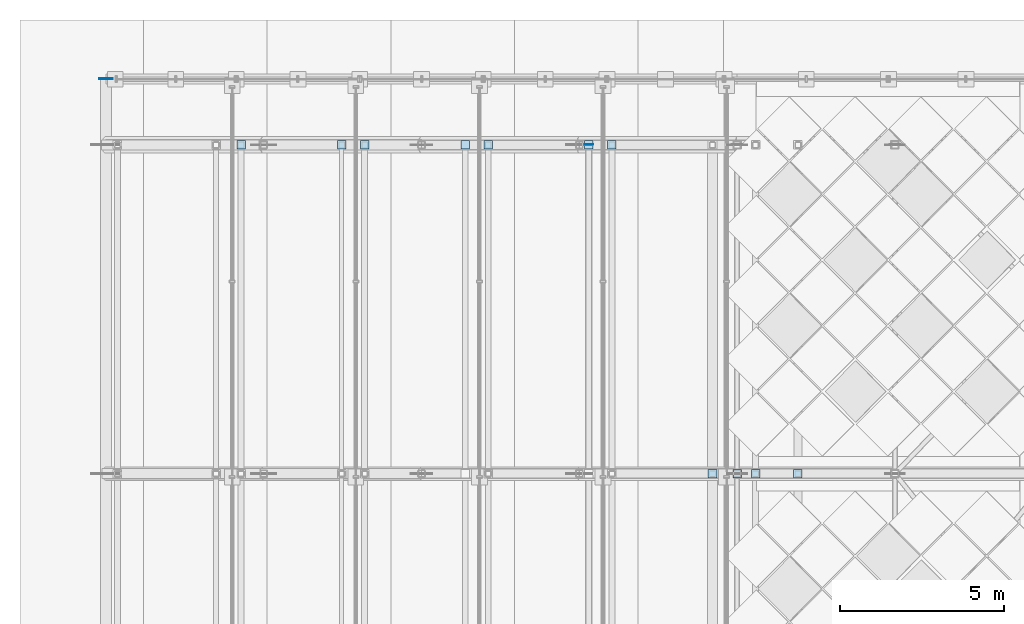
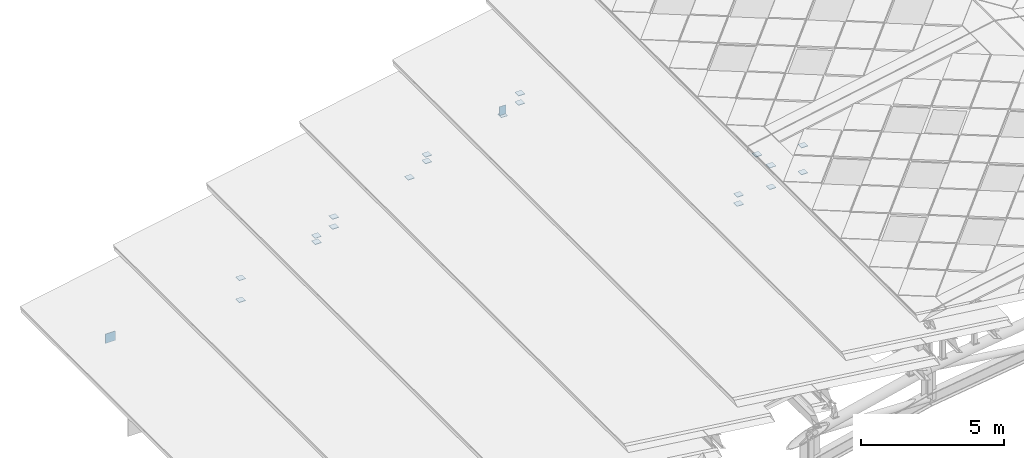
# One storey, part 106 of 117: 21 plates.
"""IFC4 building model written with IfcOpenShell, lengths in metres."""

from ifc_helpers import new_model, si_unit, direction, frame, origin, origin_2d, place, context, subcontext, project, spatial, rectangle, extrude, material, layer, layer_set, type_object, element, save


model = new_model("IFC4")

# Units and contexts
model_context = context("Model", 3, precision=1e-05, world=origin(), true_north=direction((0.0, 1.0)))
body_context = subcontext(model_context, "Body", "Model", "MODEL_VIEW")
ifc_project = project(units=[si_unit("LENGTHUNIT", "METRE"), si_unit("AREAUNIT", "SQUARE_METRE"), si_unit("VOLUMEUNIT", "CUBIC_METRE"), si_unit("PLANEANGLEUNIT", "RADIAN"), si_unit("MASSUNIT", "GRAM", prefix="KILO")], contexts=[model_context])

# Site, building, storey
site_placement = place(None, origin())
site = spatial("IfcSite", under=ifc_project, at=site_placement, CompositionType="ELEMENT")
building_placement = place(site_placement, origin())
building = spatial("IfcBuilding", under=site, at=building_placement, Name="Merenkruunu Market Hall", CompositionType="ELEMENT")
storey_placement = place(building_placement, frame((0.0, 0.0, 22.800048828125)))
storey = spatial("IfcBuildingStorey", under=building, at=storey_placement, Name="RF", CompositionType="ELEMENT", Elevation=22.800048828125)

# Plates
ifc_material = material(Name="Steel S355ML", Category="steel")
ifc_layer_1 = layer(ifc_material, 0.02001953125)
ifc_layer_set_1 = layer_set([ifc_layer_1], Name="Steel S355ML")
plate_type_1 = type_object("IfcPlateType", Name="Truss Gusset Or Cap Plate CP04", PredefinedType="USERDEFINED", material=ifc_layer_set_1)
for number, where, z_axis, x_axis, name in (
    (1, (19.199951171875, 99.60009765625, -0.50048828125), (0.0, 0.0, 1.0), (1.0, 0.0, 0.0), "PLT-AT-8-PCAP-04"),
    (2, (18.449951171875, 99.60009765625, -2.344970703125), (0.0, 0.0, 1.0), (1.0, 0.0, 0.0), "PLT-AT-8-RBASE-W5-2"),
    (3, (18.449951171875, 99.60009765625, -1.954345703125), (0.0, 0.0, 1.0), (1.0, 0.0, 0.0), "PLT-AT-8-RCAP-W5-2"),
    (4, (19.760009765625, 99.60009765625, -2.0888671875), (0.0, 0.0, 1.0), (1.0, 0.0, 0.0), "PLT-AT-8-RBASE-W6-1"),
    (5, (19.760009765625, 99.60009765625, -1.1669921875), (0.0, 0.0, 1.0), (1.0, 0.0, 0.0), "PLT-AT-8-RCAP-W6-1"),
    (6, (21.050048828125, 99.60009765625, -1.907958984375), (0.0, 0.0, 1.0), (1.0, 0.0, 0.0), "PLT-AT-8-RBASE-W6-2"),
    (7, (21.050048828125, 99.60009765625, -0.763427734375), (0.0, 0.0, 1.0), (1.0, 0.0, 0.0), "PLT-AT-8-RCAP-W6-2"),
    (8, (4.110107421875, 109.60009765625, -7.4990234375), (0.0, 0.0, 1.0), (1.0, 0.0, 0.0), "PLT-AT-G-RBASE-W2-1"),
    (9, (4.110107421875, 109.60009765625, -6.56005859375), (0.0, 0.0, 1.0), (1.0, 0.0, 0.0), "PLT-AT-G-RCAP-W2-1"),
    (10, (7.169921875, 109.60009765625, -6.09326171875), (0.0, 0.0, 1.0), (1.0, 0.0, 0.0), "PLT-AT-G-RBASE-W2-2"),
    (11, (7.169921875, 109.60009765625, -5.827392578125), (0.0, 0.0, 1.0), (1.0, 0.0, 0.0), "PLT-AT-G-RCAP-W2-2"),
    (12, (7.8701171875, 109.60009765625, -5.68798828125), (0.0, 0.0, 1.0), (1.0, 0.0, 0.0), "PLT-AT-G-RBASE-W3-1"),
    (13, (7.8701171875, 109.60009765625, -5.26025390625), (0.0, 0.0, 1.0), (1.0, 0.0, 0.0), "PLT-AT-G-RCAP-W3-1"),
    (14, (10.929931640625, 109.60009765625, -4.65234375), (0.0, 0.0, 1.0), (1.0, 0.0, 0.0), "PLT-AT-G-RCAP-W3-2"),
    (15, (11.6298828125, 109.60009765625, -4.203125), (0.0, 0.0, 1.0), (1.0, 0.0, 0.0), "PLT-AT-G-RBASE-W4-1"),
    (16, (11.6298828125, 109.60009765625, -3.920166015625), (0.0, 0.0, 1.0), (1.0, 0.0, 0.0), "PLT-AT-G-RCAP-W4-1"),
    (17, (14.68994140625, 109.60009765625, -3.3046875), (0.0, 0.0, 1.0), (1.0, 0.0, 0.0), "PLT-AT-G-RCAP-W4-2"),
    (18, (15.389892578125, 109.60009765625, -3.02099609375), (0.0, 0.0, 1.0), (1.0, 0.0, 0.0), "PLT-AT-G-RBASE-W5-1"),
    (19, (15.389892578125, 109.60009765625, -2.620361328125), (0.0, 0.0, 1.0), (1.0, 0.0, 0.0), "PLT-AT-G-RCAP-W5-1"),
):
    element("IfcPlate", number, at=place(storey_placement, frame(where, z_axis=z_axis, x_axis=x_axis)), inside=storey, type_object=plate_type_1, Name=name, ObjectType="GUSSET_PLATE", PredefinedType="USERDEFINED", context=body_context, shape_type="SweptSolid", body=[
        extrude(rectangle(XDim=0.260009765625, YDim=0.260009765625, at=origin_2d()), origin(), (0.0, 0.0, 1.0), 0.02001953125),
    ])
ifc_layer_2 = layer(ifc_material, 0.02392578125)
ifc_layer_set_2 = layer_set([ifc_layer_2], Name="Steel S355ML")
plate_type_2 = type_object("IfcPlateType", Name="Truss Gusset Or Cap Plate CP06", PredefinedType="USERDEFINED", material=ifc_layer_set_2)
plate_1_placement = place(storey_placement, frame((0.0, 111.610107421875, -9.06005859375), z_axis=(0.0, 0.0, 1.0), x_axis=(1.0, 0.0, 0.0)))
element("IfcPlate", 20, at=plate_1_placement, inside=storey, type_object=plate_type_2, Name="PLT-SPCAP-02", ObjectType="GUSSET_PLATE", PredefinedType="USERDEFINED", context=body_context, shape_type="SweptSolid", body=[
    extrude(rectangle(XDim=0.39990234375, YDim=0.02392578125, at=origin_2d()), origin(), (0.0, 0.0, 1.0), 0.39990234375),
])
ifc_layer_3 = layer(ifc_material, 0.02001953125)
ifc_layer_set_3 = layer_set([ifc_layer_3], Name="Steel S355ML")
plate_type_3 = type_object("IfcPlateType", Name="Truss Gusset Or Cap Plate CP07", PredefinedType="USERDEFINED", material=ifc_layer_set_3)
plate_2_placement = place(storey_placement, frame((14.68994140625, 109.610107421875, -3.309814453125), z_axis=(0.0, 0.0, 1.0), x_axis=(1.0, 0.0, 0.0)))
element("IfcPlate", 21, at=plate_2_placement, inside=storey, type_object=plate_type_3, Name="PLT-PRCAP-02", ObjectType="GUSSET_PLATE", PredefinedType="USERDEFINED", context=body_context, shape_type="SweptSolid", body=[
    extrude(rectangle(XDim=0.260009765625, YDim=0.02001953125, at=origin_2d()), origin(), (0.0, 0.0, 1.0), 0.39990234375),
])

save(model, "model.ifc")
